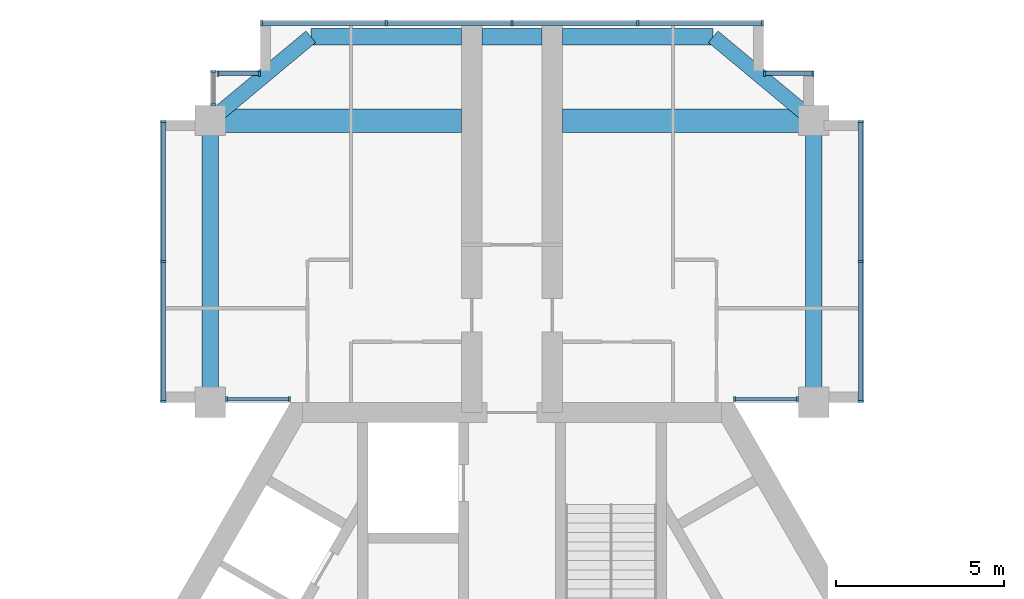
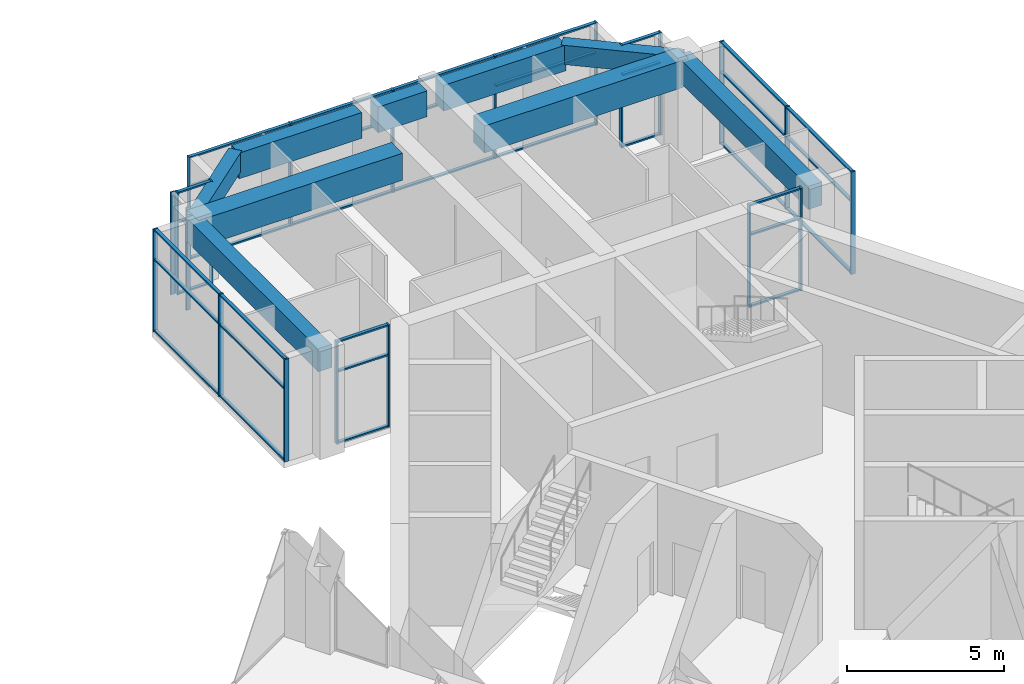
# One storey, part 6 of 13: 57 members, 9 beams, 8 elements without a shape of their own.
"""IFC4 building model written with IfcOpenShell, lengths in metres."""

from ifc_helpers import new_model, si_unit, direction, frame, origin, origin_2d, place, context, subcontext, project, spatial, rectangle, extrude, material, material_profile, profile_set, type_object, element, aggregate, save


model = new_model("IFC4")

# Units and contexts
model_context = context("Model", 3, precision=1e-05, world=origin(), true_north=direction((0.0, 1.0)))
body_context = subcontext(model_context, "Body", "Model", "MODEL_VIEW")
ifc_project = project(units=[si_unit("LENGTHUNIT", "METRE"), si_unit("AREAUNIT", "SQUARE_METRE"), si_unit("VOLUMEUNIT", "CUBIC_METRE"), si_unit("PLANEANGLEUNIT", "RADIAN"), si_unit("MASSUNIT", "GRAM", prefix="KILO")], contexts=[model_context])

# Site, building, storey
site_placement = place(None, origin())
site = spatial("IfcSite", under=ifc_project, at=site_placement, CompositionType="ELEMENT")
building_placement = place(site_placement, origin())
building = spatial("IfcBuilding", under=site, at=building_placement, Name="Impinga Residences", CompositionType="ELEMENT")
storey_placement = place(building_placement, frame((0.0, 0.0, 283.14990234375)))
storey = spatial("IfcBuildingStorey", under=building, at=storey_placement, Name="L71", CompositionType="ELEMENT", Elevation=283.14990234375)

# Beams
ifc_material_1 = material(Name="Concrete C60/75", Category="concrete")
ifc_material_profile_1 = material_profile(ifc_material_1, rectangle(XDim=0.449951171875, YDim=0.75, at=origin_2d()), Name="RC 450x750")
ifc_profile_set_1 = profile_set([ifc_material_profile_1], Name="Concrete C60/75")
beam_type_1 = type_object("IfcBeamType", Name="CB1 450x750 wing end cantilever beam", PredefinedType="BEAM", material=ifc_profile_set_1)
for number, where, z_axis, x_axis, name in (
    (1, (-9.0, 19.83154296875, 3.60498046875), (0.768221279597, 0.640184399664, 0.0), (-0.640184399664, 0.768221279597, 0.0), "Beam CB1 NB N2-NX level L72"),
    (2, (9.0, 19.83154296875, 3.60498046875), (-0.768221279597, 0.640184399664, 0.0), (-0.640184399664, -0.768221279597, 0.0), "Beam CB1 NE N2-NX level L72"),
):
    element("IfcBeam", number, at=place(storey_placement, frame(where, z_axis=z_axis, x_axis=x_axis)), inside=storey, type_object=beam_type_1, Name=name, PredefinedType="BEAM", context=body_context, shape_type="SweptSolid", body=[
        extrude(rectangle(XDim=0.449951171875, YDim=0.75, at=origin_2d()), origin(), (0.0, 0.0, 1.0), 3.905029296875),
    ])
ifc_material_profile_2 = material_profile(ifc_material_1, rectangle(XDim=0.699951171875, YDim=1.050048828125, at=origin_2d()), Name="RC 700x1050")
ifc_profile_set_2 = profile_set([ifc_material_profile_2], Name="Concrete C60/75")
beam_type_2 = type_object("IfcBeamType", Name="CG1 700x1050 cross girder on a wing bay line", PredefinedType="BEAM", material=ifc_profile_set_2)
for number, where, z_axis, x_axis, name in (
    (3, (-1.5, 19.83154296875, 3.455078125), (-1.0, 0.0, 0.0), (0.0, -1.0, 0.0), "Beam CG1 N2 NC/NA level L72"),
    (4, (1.5, 19.83154296875, 3.455078125), (1.0, 0.0, 0.0), (0.0, 1.0, 0.0), "Beam CG1 N2 NC/NF level L72"),
):
    element("IfcBeam", number, at=place(storey_placement, frame(where, z_axis=z_axis, x_axis=x_axis)), inside=storey, type_object=beam_type_2, Name=name, PredefinedType="BEAM", context=body_context, shape_type="SweptSolid", body=[
        extrude(rectangle(XDim=0.699951171875, YDim=1.050048828125, at=origin_2d()), origin(), (0.0, 0.0, 1.0), 7.5),
    ])

# Curtain wall, members
ifc_material_2 = material(Name="Aluminium stick curtain wall", Category="aluminium")
curtain_wall_type = type_object("IfcCurtainWallType", Name="CW3 penthouse curtain wall", PredefinedType="USERDEFINED", material=ifc_material_2)
curtain_wall_1_placement = place(storey_placement, origin())
curtain_wall_1 = element("IfcCurtainWall", 5, at=curtain_wall_1_placement, inside=storey, type_object=curtain_wall_type, Name="Curtain wall CW3 L71", ObjectType="STICK CURTAIN WALL", PredefinedType="USERDEFINED")
ifc_material_3 = material(Name="Aluminium mullion", Category="aluminium")
ifc_material_profile_3 = material_profile(ifc_material_3, rectangle(XDim=0.06005859375, YDim=0.159912109375, at=origin_2d()), Name="60x160 mullion")
ifc_profile_set_3 = profile_set([ifc_material_profile_3], Name="Aluminium mullion")
member_type_1 = type_object("IfcMemberType", Name="CW3-M mullion 60x160", PredefinedType="MULLION", material=ifc_profile_set_3)
member_1_placement = place(storey_placement, frame((-6.6298828125, 11.531494140625, 0.0), z_axis=(0.0, 0.0, 1.0), x_axis=(-1.0, 0.0, 0.0)))
member_1 = element("IfcMember", 6, at=member_1_placement, type_object=member_type_1, Name="CW3 mullion 1", PredefinedType="MULLION", context=body_context, shape_type="SweptSolid", body=[
    extrude(rectangle(XDim=0.06005859375, YDim=0.159912109375, at=origin_2d()), origin(), (0.0, 0.0, 1.0), 3.97998046875),
])
member_2_placement = place(storey_placement, frame((-8.51708984375, 11.531494140625, 0.0), z_axis=(0.0, 0.0, 1.0), x_axis=(-1.0, 0.0, 0.0)))
member_2 = element("IfcMember", 7, at=member_2_placement, type_object=member_type_1, Name="CW3 mullion 2", PredefinedType="MULLION", context=body_context, shape_type="SweptSolid", body=[
    extrude(rectangle(XDim=0.06005859375, YDim=0.159912109375, at=origin_2d()), origin(), (0.0, 0.0, 1.0), 3.97998046875),
])

curtain_wall_2_placement = place(storey_placement, origin())
curtain_wall_2 = element("IfcCurtainWall", 8, at=curtain_wall_2_placement, inside=storey, type_object=curtain_wall_type, Name="Curtain wall CW3 L71", ObjectType="STICK CURTAIN WALL", PredefinedType="USERDEFINED")
member_3_placement = place(storey_placement, frame((-10.39990234375, 11.46142578125, 0.0), z_axis=(0.0, 0.0, 1.0), x_axis=(0.0, 1.0, 0.0)))
member_3 = element("IfcMember", 9, at=member_3_placement, type_object=member_type_1, Name="CW3 mullion 1", PredefinedType="MULLION", context=body_context, shape_type="SweptSolid", body=[
    extrude(rectangle(XDim=0.06005859375, YDim=0.159912109375, at=origin_2d()), origin(), (0.0, 0.0, 1.0), 3.97998046875),
])
member_4_placement = place(storey_placement, frame((-10.39990234375, 15.631591796875, 0.0), z_axis=(0.0, 0.0, 1.0), x_axis=(0.0, 1.0, 0.0)))
member_4 = element("IfcMember", 10, at=member_4_placement, type_object=member_type_1, Name="CW3 mullion 2", PredefinedType="MULLION", context=body_context, shape_type="SweptSolid", body=[
    extrude(rectangle(XDim=0.06005859375, YDim=0.159912109375, at=origin_2d()), origin(), (0.0, 0.0, 1.0), 3.97998046875),
])
member_5_placement = place(storey_placement, frame((-10.39990234375, 19.801513671875, 0.0), z_axis=(0.0, 0.0, 1.0), x_axis=(0.0, 1.0, 0.0)))
member_5 = element("IfcMember", 11, at=member_5_placement, type_object=member_type_1, Name="CW3 mullion 3", PredefinedType="MULLION", context=body_context, shape_type="SweptSolid", body=[
    extrude(rectangle(XDim=0.06005859375, YDim=0.159912109375, at=origin_2d()), origin(), (0.0, 0.0, 1.0), 3.97998046875),
])

curtain_wall_3_placement = place(storey_placement, origin())
curtain_wall_3 = element("IfcCurtainWall", 12, at=curtain_wall_3_placement, inside=storey, type_object=curtain_wall_type, Name="Curtain wall CW3 L71", ObjectType="STICK CURTAIN WALL", PredefinedType="USERDEFINED")
member_6_placement = place(storey_placement, frame((-8.89990234375, 20.314453125, 0.0), z_axis=(0.0, 0.0, 1.0), x_axis=(0.0, 1.0, 0.0)))
member_6 = element("IfcMember", 13, at=member_6_placement, type_object=member_type_1, Name="CW3 mullion 1", PredefinedType="MULLION", context=body_context, shape_type="SweptSolid", body=[
    extrude(rectangle(XDim=0.06005859375, YDim=0.159912109375, at=origin_2d()), origin(), (0.0, 0.0, 1.0), 3.97998046875),
])
member_7_placement = place(storey_placement, frame((-8.89990234375, 21.301513671875, 0.0), z_axis=(0.0, 0.0, 1.0), x_axis=(0.0, 1.0, 0.0)))
member_7 = element("IfcMember", 14, at=member_7_placement, type_object=member_type_1, Name="CW3 mullion 2", PredefinedType="MULLION", context=body_context, shape_type="SweptSolid", body=[
    extrude(rectangle(XDim=0.06005859375, YDim=0.159912109375, at=origin_2d()), origin(), (0.0, 0.0, 1.0), 3.97998046875),
])
aggregate(curtain_wall_3, [member_6, member_7])

curtain_wall_4_placement = place(storey_placement, origin())
curtain_wall_4 = element("IfcCurtainWall", 15, at=curtain_wall_4_placement, inside=storey, type_object=curtain_wall_type, Name="Curtain wall CW3 L71", ObjectType="STICK CURTAIN WALL", PredefinedType="USERDEFINED")
member_8_placement = place(storey_placement, frame((-8.77001953125, 21.2314453125, 0.0), z_axis=(0.0, 0.0, 1.0), x_axis=(1.0, 0.0, 0.0)))
member_8 = element("IfcMember", 16, at=member_8_placement, type_object=member_type_1, Name="CW3 mullion 1", PredefinedType="MULLION", context=body_context, shape_type="SweptSolid", body=[
    extrude(rectangle(XDim=0.06005859375, YDim=0.159912109375, at=origin_2d()), origin(), (0.0, 0.0, 1.0), 3.97998046875),
])
member_9_placement = place(storey_placement, frame((-7.530029296875, 21.2314453125, 0.0), z_axis=(0.0, 0.0, 1.0), x_axis=(1.0, 0.0, 0.0)))
member_9 = element("IfcMember", 17, at=member_9_placement, type_object=member_type_1, Name="CW3 mullion 2", PredefinedType="MULLION", context=body_context, shape_type="SweptSolid", body=[
    extrude(rectangle(XDim=0.06005859375, YDim=0.159912109375, at=origin_2d()), origin(), (0.0, 0.0, 1.0), 3.97998046875),
])

curtain_wall_5_placement = place(storey_placement, origin())
curtain_wall_5 = element("IfcCurtainWall", 18, at=curtain_wall_5_placement, inside=storey, type_object=curtain_wall_type, Name="Curtain wall CW3 L71", ObjectType="STICK CURTAIN WALL", PredefinedType="USERDEFINED")
member_10_placement = place(storey_placement, frame((-7.469970703125, 22.7314453125, 0.0), z_axis=(0.0, 0.0, 1.0), x_axis=(1.0, 0.0, 0.0)))
member_10 = element("IfcMember", 19, at=member_10_placement, type_object=member_type_1, Name="CW3 mullion 1", PredefinedType="MULLION", context=body_context, shape_type="SweptSolid", body=[
    extrude(rectangle(XDim=0.06005859375, YDim=0.159912109375, at=origin_2d()), origin(), (0.0, 0.0, 1.0), 3.97998046875),
])
member_11_placement = place(storey_placement, frame((-3.75, 22.7314453125, 0.0), z_axis=(0.0, 0.0, 1.0), x_axis=(1.0, 0.0, 0.0)))
member_11 = element("IfcMember", 20, at=member_11_placement, type_object=member_type_1, Name="CW3 mullion 2", PredefinedType="MULLION", context=body_context, shape_type="SweptSolid", body=[
    extrude(rectangle(XDim=0.06005859375, YDim=0.159912109375, at=origin_2d()), origin(), (0.0, 0.0, 1.0), 3.97998046875),
])
member_12_placement = place(storey_placement, frame((0.0, 22.7314453125, 0.0), z_axis=(0.0, 0.0, 1.0), x_axis=(1.0, 0.0, 0.0)))
member_12 = element("IfcMember", 21, at=member_12_placement, type_object=member_type_1, Name="CW3 mullion 3", PredefinedType="MULLION", context=body_context, shape_type="SweptSolid", body=[
    extrude(rectangle(XDim=0.06005859375, YDim=0.159912109375, at=origin_2d()), origin(), (0.0, 0.0, 1.0), 3.97998046875),
])
member_13_placement = place(storey_placement, frame((3.75, 22.7314453125, 0.0), z_axis=(0.0, 0.0, 1.0), x_axis=(1.0, 0.0, 0.0)))
member_13 = element("IfcMember", 22, at=member_13_placement, type_object=member_type_1, Name="CW3 mullion 4", PredefinedType="MULLION", context=body_context, shape_type="SweptSolid", body=[
    extrude(rectangle(XDim=0.06005859375, YDim=0.159912109375, at=origin_2d()), origin(), (0.0, 0.0, 1.0), 3.97998046875),
])
member_14_placement = place(storey_placement, frame((7.469970703125, 22.7314453125, 0.0), z_axis=(0.0, 0.0, 1.0), x_axis=(1.0, 0.0, 0.0)))
member_14 = element("IfcMember", 23, at=member_14_placement, type_object=member_type_1, Name="CW3 mullion 5", PredefinedType="MULLION", context=body_context, shape_type="SweptSolid", body=[
    extrude(rectangle(XDim=0.06005859375, YDim=0.159912109375, at=origin_2d()), origin(), (0.0, 0.0, 1.0), 3.97998046875),
])

curtain_wall_6_placement = place(storey_placement, origin())
curtain_wall_6 = element("IfcCurtainWall", 24, at=curtain_wall_6_placement, inside=storey, type_object=curtain_wall_type, Name="Curtain wall CW3 L71", ObjectType="STICK CURTAIN WALL", PredefinedType="USERDEFINED")
member_15_placement = place(storey_placement, frame((7.530029296875, 21.2314453125, 0.0), z_axis=(0.0, 0.0, 1.0), x_axis=(1.0, 0.0, 0.0)))
member_15 = element("IfcMember", 25, at=member_15_placement, type_object=member_type_1, Name="CW3 mullion 1", PredefinedType="MULLION", context=body_context, shape_type="SweptSolid", body=[
    extrude(rectangle(XDim=0.06005859375, YDim=0.159912109375, at=origin_2d()), origin(), (0.0, 0.0, 1.0), 3.97998046875),
])
member_16_placement = place(storey_placement, frame((8.969970703125, 21.2314453125, 0.0), z_axis=(0.0, 0.0, 1.0), x_axis=(1.0, 0.0, 0.0)))
member_16 = element("IfcMember", 26, at=member_16_placement, type_object=member_type_1, Name="CW3 mullion 2", PredefinedType="MULLION", context=body_context, shape_type="SweptSolid", body=[
    extrude(rectangle(XDim=0.06005859375, YDim=0.159912109375, at=origin_2d()), origin(), (0.0, 0.0, 1.0), 3.97998046875),
])

curtain_wall_7_placement = place(storey_placement, origin())
curtain_wall_7 = element("IfcCurtainWall", 27, at=curtain_wall_7_placement, inside=storey, type_object=curtain_wall_type, Name="Curtain wall CW3 L71", ObjectType="STICK CURTAIN WALL", PredefinedType="USERDEFINED")
member_17_placement = place(storey_placement, frame((10.39990234375, 19.801513671875, 0.0), z_axis=(0.0, 0.0, 1.0), x_axis=(0.0, -1.0, 0.0)))
member_17 = element("IfcMember", 28, at=member_17_placement, type_object=member_type_1, Name="CW3 mullion 1", PredefinedType="MULLION", context=body_context, shape_type="SweptSolid", body=[
    extrude(rectangle(XDim=0.06005859375, YDim=0.159912109375, at=origin_2d()), origin(), (0.0, 0.0, 1.0), 3.97998046875),
])
member_18_placement = place(storey_placement, frame((10.39990234375, 15.631591796875, 0.0), z_axis=(0.0, 0.0, 1.0), x_axis=(0.0, -1.0, 0.0)))
member_18 = element("IfcMember", 29, at=member_18_placement, type_object=member_type_1, Name="CW3 mullion 2", PredefinedType="MULLION", context=body_context, shape_type="SweptSolid", body=[
    extrude(rectangle(XDim=0.06005859375, YDim=0.159912109375, at=origin_2d()), origin(), (0.0, 0.0, 1.0), 3.97998046875),
])
member_19_placement = place(storey_placement, frame((10.39990234375, 11.46142578125, 0.0), z_axis=(0.0, 0.0, 1.0), x_axis=(0.0, -1.0, 0.0)))
member_19 = element("IfcMember", 30, at=member_19_placement, type_object=member_type_1, Name="CW3 mullion 3", PredefinedType="MULLION", context=body_context, shape_type="SweptSolid", body=[
    extrude(rectangle(XDim=0.06005859375, YDim=0.159912109375, at=origin_2d()), origin(), (0.0, 0.0, 1.0), 3.97998046875),
])

curtain_wall_8_placement = place(storey_placement, origin())
curtain_wall_8 = element("IfcCurtainWall", 31, at=curtain_wall_8_placement, inside=storey, type_object=curtain_wall_type, Name="Curtain wall CW3 L71", ObjectType="STICK CURTAIN WALL", PredefinedType="USERDEFINED")
member_20_placement = place(storey_placement, frame((8.51708984375, 11.531494140625, 0.0), z_axis=(0.0, 0.0, 1.0), x_axis=(-1.0, 0.0, 0.0)))
member_20 = element("IfcMember", 32, at=member_20_placement, type_object=member_type_1, Name="CW3 mullion 1", PredefinedType="MULLION", context=body_context, shape_type="SweptSolid", body=[
    extrude(rectangle(XDim=0.06005859375, YDim=0.159912109375, at=origin_2d()), origin(), (0.0, 0.0, 1.0), 3.97998046875),
])
member_21_placement = place(storey_placement, frame((6.6298828125, 11.531494140625, 0.0), z_axis=(0.0, 0.0, 1.0), x_axis=(-1.0, 0.0, 0.0)))
member_21 = element("IfcMember", 33, at=member_21_placement, type_object=member_type_1, Name="CW3 mullion 2", PredefinedType="MULLION", context=body_context, shape_type="SweptSolid", body=[
    extrude(rectangle(XDim=0.06005859375, YDim=0.159912109375, at=origin_2d()), origin(), (0.0, 0.0, 1.0), 3.97998046875),
])

# Member
ifc_material_4 = material(Name="Aluminium transom", Category="aluminium")
ifc_material_profile_4 = material_profile(ifc_material_4, rectangle(XDim=0.06005859375, YDim=0.1201171875, at=origin_2d()), Name="60x120 transom")
ifc_profile_set_4 = profile_set([ifc_material_profile_4], Name="Aluminium transom")
member_type_2 = type_object("IfcMemberType", Name="CW3-T transom 60x120", PredefinedType="USERDEFINED", material=ifc_profile_set_4)
member_22_placement = place(storey_placement, frame((-6.659912109375, 11.531494140625, 0.030029296875), z_axis=(-1.0, 0.0, 0.0), x_axis=(0.0, 0.0, 1.0)))
member_22 = element("IfcMember", 34, at=member_22_placement, type_object=member_type_2, Name="CW3 transom 1.1", ObjectType="TRANSOM", PredefinedType="USERDEFINED", context=body_context, shape_type="SweptSolid", body=[
    extrude(rectangle(XDim=0.06005859375, YDim=0.1201171875, at=origin_2d()), origin(), (0.0, 0.0, 1.0), 1.8271484375),
])

member_23_placement = place(storey_placement, frame((-6.659912109375, 11.531494140625, 2.800048828125), z_axis=(-1.0, 0.0, 0.0), x_axis=(0.0, 0.0, 1.0)))
member_23 = element("IfcMember", 35, at=member_23_placement, type_object=member_type_2, Name="CW3 transom 1.2", ObjectType="TRANSOM", PredefinedType="USERDEFINED", context=body_context, shape_type="SweptSolid", body=[
    extrude(rectangle(XDim=0.06005859375, YDim=0.1201171875, at=origin_2d()), origin(), (0.0, 0.0, 1.0), 1.8271484375),
])

member_24_placement = place(storey_placement, frame((-6.659912109375, 11.531494140625, 3.9501953125), z_axis=(-1.0, 0.0, 0.0), x_axis=(0.0, 0.0, 1.0)))
member_24 = element("IfcMember", 36, at=member_24_placement, type_object=member_type_2, Name="CW3 transom 1.3", ObjectType="TRANSOM", PredefinedType="USERDEFINED", context=body_context, shape_type="SweptSolid", body=[
    extrude(rectangle(XDim=0.06005859375, YDim=0.1201171875, at=origin_2d()), origin(), (0.0, 0.0, 1.0), 1.8271484375),
])

aggregate(curtain_wall_1, [member_1, member_2, member_22, member_23, member_24])

member_25_placement = place(storey_placement, frame((-10.39990234375, 11.491455078125, 0.030029296875), z_axis=(0.0, 1.0, 0.0), x_axis=(0.0, 0.0, 1.0)))
member_25 = element("IfcMember", 37, at=member_25_placement, type_object=member_type_2, Name="CW3 transom 1.1", ObjectType="TRANSOM", PredefinedType="USERDEFINED", context=body_context, shape_type="SweptSolid", body=[
    extrude(rectangle(XDim=0.06005859375, YDim=0.1201171875, at=origin_2d()), origin(), (0.0, 0.0, 1.0), 4.110107421875),
])

member_26_placement = place(storey_placement, frame((-10.39990234375, 11.491455078125, 2.800048828125), z_axis=(0.0, 1.0, 0.0), x_axis=(0.0, 0.0, 1.0)))
member_26 = element("IfcMember", 38, at=member_26_placement, type_object=member_type_2, Name="CW3 transom 1.2", ObjectType="TRANSOM", PredefinedType="USERDEFINED", context=body_context, shape_type="SweptSolid", body=[
    extrude(rectangle(XDim=0.06005859375, YDim=0.1201171875, at=origin_2d()), origin(), (0.0, 0.0, 1.0), 4.110107421875),
])

member_27_placement = place(storey_placement, frame((-10.39990234375, 11.491455078125, 3.9501953125), z_axis=(0.0, 1.0, 0.0), x_axis=(0.0, 0.0, 1.0)))
member_27 = element("IfcMember", 39, at=member_27_placement, type_object=member_type_2, Name="CW3 transom 1.3", ObjectType="TRANSOM", PredefinedType="USERDEFINED", context=body_context, shape_type="SweptSolid", body=[
    extrude(rectangle(XDim=0.06005859375, YDim=0.1201171875, at=origin_2d()), origin(), (0.0, 0.0, 1.0), 4.110107421875),
])

member_28_placement = place(storey_placement, frame((-10.39990234375, 15.66162109375, 0.030029296875), z_axis=(0.0, 1.0, 0.0), x_axis=(0.0, 0.0, 1.0)))
member_28 = element("IfcMember", 40, at=member_28_placement, type_object=member_type_2, Name="CW3 transom 2.1", ObjectType="TRANSOM", PredefinedType="USERDEFINED", context=body_context, shape_type="SweptSolid", body=[
    extrude(rectangle(XDim=0.06005859375, YDim=0.1201171875, at=origin_2d()), origin(), (0.0, 0.0, 1.0), 4.10986328125),
])

member_29_placement = place(storey_placement, frame((-10.39990234375, 15.66162109375, 2.800048828125), z_axis=(0.0, 1.0, 0.0), x_axis=(0.0, 0.0, 1.0)))
member_29 = element("IfcMember", 41, at=member_29_placement, type_object=member_type_2, Name="CW3 transom 2.2", ObjectType="TRANSOM", PredefinedType="USERDEFINED", context=body_context, shape_type="SweptSolid", body=[
    extrude(rectangle(XDim=0.06005859375, YDim=0.1201171875, at=origin_2d()), origin(), (0.0, 0.0, 1.0), 4.10986328125),
])

member_30_placement = place(storey_placement, frame((-10.39990234375, 15.66162109375, 3.9501953125), z_axis=(0.0, 1.0, 0.0), x_axis=(0.0, 0.0, 1.0)))
member_30 = element("IfcMember", 42, at=member_30_placement, type_object=member_type_2, Name="CW3 transom 2.3", ObjectType="TRANSOM", PredefinedType="USERDEFINED", context=body_context, shape_type="SweptSolid", body=[
    extrude(rectangle(XDim=0.06005859375, YDim=0.1201171875, at=origin_2d()), origin(), (0.0, 0.0, 1.0), 4.10986328125),
])

aggregate(curtain_wall_2, [member_3, member_4, member_5, member_25, member_26, member_27, member_28, member_29, member_30])

member_31_placement = place(storey_placement, frame((-8.739990234375, 21.2314453125, 0.030029296875), z_axis=(1.0, 0.0, 0.0), x_axis=(0.0, 0.0, 1.0)))
member_31 = element("IfcMember", 43, at=member_31_placement, type_object=member_type_2, Name="CW3 transom 1.1", ObjectType="TRANSOM", PredefinedType="USERDEFINED", context=body_context, shape_type="SweptSolid", body=[
    extrude(rectangle(XDim=0.06005859375, YDim=0.1201171875, at=origin_2d()), origin(), (0.0, 0.0, 1.0), 1.179931640625),
])

member_32_placement = place(storey_placement, frame((-8.739990234375, 21.2314453125, 2.800048828125), z_axis=(1.0, 0.0, 0.0), x_axis=(0.0, 0.0, 1.0)))
member_32 = element("IfcMember", 44, at=member_32_placement, type_object=member_type_2, Name="CW3 transom 1.2", ObjectType="TRANSOM", PredefinedType="USERDEFINED", context=body_context, shape_type="SweptSolid", body=[
    extrude(rectangle(XDim=0.06005859375, YDim=0.1201171875, at=origin_2d()), origin(), (0.0, 0.0, 1.0), 1.179931640625),
])

member_33_placement = place(storey_placement, frame((-8.739990234375, 21.2314453125, 3.9501953125), z_axis=(1.0, 0.0, 0.0), x_axis=(0.0, 0.0, 1.0)))
member_33 = element("IfcMember", 45, at=member_33_placement, type_object=member_type_2, Name="CW3 transom 1.3", ObjectType="TRANSOM", PredefinedType="USERDEFINED", context=body_context, shape_type="SweptSolid", body=[
    extrude(rectangle(XDim=0.06005859375, YDim=0.1201171875, at=origin_2d()), origin(), (0.0, 0.0, 1.0), 1.179931640625),
])

aggregate(curtain_wall_4, [member_8, member_9, member_31, member_32, member_33])

member_34_placement = place(storey_placement, frame((-7.43994140625, 22.7314453125, 0.030029296875), z_axis=(1.0, 0.0, 0.0), x_axis=(0.0, 0.0, 1.0)))
member_34 = element("IfcMember", 46, at=member_34_placement, type_object=member_type_2, Name="CW3 transom 1.1", ObjectType="TRANSOM", PredefinedType="USERDEFINED", context=body_context, shape_type="SweptSolid", body=[
    extrude(rectangle(XDim=0.06005859375, YDim=0.1201171875, at=origin_2d()), origin(), (0.0, 0.0, 1.0), 3.659912109375),
])

member_35_placement = place(storey_placement, frame((-7.43994140625, 22.7314453125, 2.800048828125), z_axis=(1.0, 0.0, 0.0), x_axis=(0.0, 0.0, 1.0)))
member_35 = element("IfcMember", 47, at=member_35_placement, type_object=member_type_2, Name="CW3 transom 1.2", ObjectType="TRANSOM", PredefinedType="USERDEFINED", context=body_context, shape_type="SweptSolid", body=[
    extrude(rectangle(XDim=0.06005859375, YDim=0.1201171875, at=origin_2d()), origin(), (0.0, 0.0, 1.0), 3.659912109375),
])

member_36_placement = place(storey_placement, frame((-7.43994140625, 22.7314453125, 3.9501953125), z_axis=(1.0, 0.0, 0.0), x_axis=(0.0, 0.0, 1.0)))
member_36 = element("IfcMember", 48, at=member_36_placement, type_object=member_type_2, Name="CW3 transom 1.3", ObjectType="TRANSOM", PredefinedType="USERDEFINED", context=body_context, shape_type="SweptSolid", body=[
    extrude(rectangle(XDim=0.06005859375, YDim=0.1201171875, at=origin_2d()), origin(), (0.0, 0.0, 1.0), 3.659912109375),
])

member_37_placement = place(storey_placement, frame((-3.719970703125, 22.7314453125, 0.030029296875), z_axis=(1.0, 0.0, 0.0), x_axis=(0.0, 0.0, 1.0)))
member_37 = element("IfcMember", 49, at=member_37_placement, type_object=member_type_2, Name="CW3 transom 2.1", ObjectType="TRANSOM", PredefinedType="USERDEFINED", context=body_context, shape_type="SweptSolid", body=[
    extrude(rectangle(XDim=0.06005859375, YDim=0.1201171875, at=origin_2d()), origin(), (0.0, 0.0, 1.0), 3.68994140625),
])

member_38_placement = place(storey_placement, frame((-3.719970703125, 22.7314453125, 2.800048828125), z_axis=(1.0, 0.0, 0.0), x_axis=(0.0, 0.0, 1.0)))
member_38 = element("IfcMember", 50, at=member_38_placement, type_object=member_type_2, Name="CW3 transom 2.2", ObjectType="TRANSOM", PredefinedType="USERDEFINED", context=body_context, shape_type="SweptSolid", body=[
    extrude(rectangle(XDim=0.06005859375, YDim=0.1201171875, at=origin_2d()), origin(), (0.0, 0.0, 1.0), 3.68994140625),
])

member_39_placement = place(storey_placement, frame((-3.719970703125, 22.7314453125, 3.9501953125), z_axis=(1.0, 0.0, 0.0), x_axis=(0.0, 0.0, 1.0)))
member_39 = element("IfcMember", 51, at=member_39_placement, type_object=member_type_2, Name="CW3 transom 2.3", ObjectType="TRANSOM", PredefinedType="USERDEFINED", context=body_context, shape_type="SweptSolid", body=[
    extrude(rectangle(XDim=0.06005859375, YDim=0.1201171875, at=origin_2d()), origin(), (0.0, 0.0, 1.0), 3.68994140625),
])

member_40_placement = place(storey_placement, frame((0.030029296875, 22.7314453125, 0.030029296875), z_axis=(1.0, 0.0, 0.0), x_axis=(0.0, 0.0, 1.0)))
member_40 = element("IfcMember", 52, at=member_40_placement, type_object=member_type_2, Name="CW3 transom 3.1", ObjectType="TRANSOM", PredefinedType="USERDEFINED", context=body_context, shape_type="SweptSolid", body=[
    extrude(rectangle(XDim=0.06005859375, YDim=0.1201171875, at=origin_2d()), origin(), (0.0, 0.0, 1.0), 3.68994140625),
])

member_41_placement = place(storey_placement, frame((0.030029296875, 22.7314453125, 2.800048828125), z_axis=(1.0, 0.0, 0.0), x_axis=(0.0, 0.0, 1.0)))
member_41 = element("IfcMember", 53, at=member_41_placement, type_object=member_type_2, Name="CW3 transom 3.2", ObjectType="TRANSOM", PredefinedType="USERDEFINED", context=body_context, shape_type="SweptSolid", body=[
    extrude(rectangle(XDim=0.06005859375, YDim=0.1201171875, at=origin_2d()), origin(), (0.0, 0.0, 1.0), 3.68994140625),
])

member_42_placement = place(storey_placement, frame((0.030029296875, 22.7314453125, 3.9501953125), z_axis=(1.0, 0.0, 0.0), x_axis=(0.0, 0.0, 1.0)))
member_42 = element("IfcMember", 54, at=member_42_placement, type_object=member_type_2, Name="CW3 transom 3.3", ObjectType="TRANSOM", PredefinedType="USERDEFINED", context=body_context, shape_type="SweptSolid", body=[
    extrude(rectangle(XDim=0.06005859375, YDim=0.1201171875, at=origin_2d()), origin(), (0.0, 0.0, 1.0), 3.68994140625),
])

member_43_placement = place(storey_placement, frame((3.780029296875, 22.7314453125, 0.030029296875), z_axis=(1.0, 0.0, 0.0), x_axis=(0.0, 0.0, 1.0)))
member_43 = element("IfcMember", 55, at=member_43_placement, type_object=member_type_2, Name="CW3 transom 4.1", ObjectType="TRANSOM", PredefinedType="USERDEFINED", context=body_context, shape_type="SweptSolid", body=[
    extrude(rectangle(XDim=0.06005859375, YDim=0.1201171875, at=origin_2d()), origin(), (0.0, 0.0, 1.0), 3.659912109375),
])

member_44_placement = place(storey_placement, frame((3.780029296875, 22.7314453125, 2.800048828125), z_axis=(1.0, 0.0, 0.0), x_axis=(0.0, 0.0, 1.0)))
member_44 = element("IfcMember", 56, at=member_44_placement, type_object=member_type_2, Name="CW3 transom 4.2", ObjectType="TRANSOM", PredefinedType="USERDEFINED", context=body_context, shape_type="SweptSolid", body=[
    extrude(rectangle(XDim=0.06005859375, YDim=0.1201171875, at=origin_2d()), origin(), (0.0, 0.0, 1.0), 3.659912109375),
])

member_45_placement = place(storey_placement, frame((3.780029296875, 22.7314453125, 3.9501953125), z_axis=(1.0, 0.0, 0.0), x_axis=(0.0, 0.0, 1.0)))
member_45 = element("IfcMember", 57, at=member_45_placement, type_object=member_type_2, Name="CW3 transom 4.3", ObjectType="TRANSOM", PredefinedType="USERDEFINED", context=body_context, shape_type="SweptSolid", body=[
    extrude(rectangle(XDim=0.06005859375, YDim=0.1201171875, at=origin_2d()), origin(), (0.0, 0.0, 1.0), 3.659912109375),
])

aggregate(curtain_wall_5, [member_10, member_11, member_12, member_13, member_14, member_34, member_35, member_36, member_37, member_38, member_39, member_40, member_41, member_42, member_43, member_44, member_45])

member_46_placement = place(storey_placement, frame((7.56005859375, 21.2314453125, 0.030029296875), z_axis=(1.0, 0.0, 0.0), x_axis=(0.0, 0.0, 1.0)))
member_46 = element("IfcMember", 58, at=member_46_placement, type_object=member_type_2, Name="CW3 transom 1.1", ObjectType="TRANSOM", PredefinedType="USERDEFINED", context=body_context, shape_type="SweptSolid", body=[
    extrude(rectangle(XDim=0.06005859375, YDim=0.1201171875, at=origin_2d()), origin(), (0.0, 0.0, 1.0), 1.3798828125),
])

member_47_placement = place(storey_placement, frame((7.56005859375, 21.2314453125, 2.800048828125), z_axis=(1.0, 0.0, 0.0), x_axis=(0.0, 0.0, 1.0)))
member_47 = element("IfcMember", 59, at=member_47_placement, type_object=member_type_2, Name="CW3 transom 1.2", ObjectType="TRANSOM", PredefinedType="USERDEFINED", context=body_context, shape_type="SweptSolid", body=[
    extrude(rectangle(XDim=0.06005859375, YDim=0.1201171875, at=origin_2d()), origin(), (0.0, 0.0, 1.0), 1.3798828125),
])

member_48_placement = place(storey_placement, frame((7.56005859375, 21.2314453125, 3.9501953125), z_axis=(1.0, 0.0, 0.0), x_axis=(0.0, 0.0, 1.0)))
member_48 = element("IfcMember", 60, at=member_48_placement, type_object=member_type_2, Name="CW3 transom 1.3", ObjectType="TRANSOM", PredefinedType="USERDEFINED", context=body_context, shape_type="SweptSolid", body=[
    extrude(rectangle(XDim=0.06005859375, YDim=0.1201171875, at=origin_2d()), origin(), (0.0, 0.0, 1.0), 1.3798828125),
])

aggregate(curtain_wall_6, [member_15, member_16, member_46, member_47, member_48])

member_49_placement = place(storey_placement, frame((10.39990234375, 19.771484375, 0.030029296875), z_axis=(0.0, -1.0, 0.0), x_axis=(0.0, 0.0, 1.0)))
member_49 = element("IfcMember", 61, at=member_49_placement, type_object=member_type_2, Name="CW3 transom 1.1", ObjectType="TRANSOM", PredefinedType="USERDEFINED", context=body_context, shape_type="SweptSolid", body=[
    extrude(rectangle(XDim=0.06005859375, YDim=0.1201171875, at=origin_2d()), origin(), (0.0, 0.0, 1.0), 4.10986328125),
])

member_50_placement = place(storey_placement, frame((10.39990234375, 19.771484375, 2.800048828125), z_axis=(0.0, -1.0, 0.0), x_axis=(0.0, 0.0, 1.0)))
member_50 = element("IfcMember", 62, at=member_50_placement, type_object=member_type_2, Name="CW3 transom 1.2", ObjectType="TRANSOM", PredefinedType="USERDEFINED", context=body_context, shape_type="SweptSolid", body=[
    extrude(rectangle(XDim=0.06005859375, YDim=0.1201171875, at=origin_2d()), origin(), (0.0, 0.0, 1.0), 4.10986328125),
])

member_51_placement = place(storey_placement, frame((10.39990234375, 19.771484375, 3.9501953125), z_axis=(0.0, -1.0, 0.0), x_axis=(0.0, 0.0, 1.0)))
member_51 = element("IfcMember", 63, at=member_51_placement, type_object=member_type_2, Name="CW3 transom 1.3", ObjectType="TRANSOM", PredefinedType="USERDEFINED", context=body_context, shape_type="SweptSolid", body=[
    extrude(rectangle(XDim=0.06005859375, YDim=0.1201171875, at=origin_2d()), origin(), (0.0, 0.0, 1.0), 4.10986328125),
])

member_52_placement = place(storey_placement, frame((10.39990234375, 15.6015625, 0.030029296875), z_axis=(0.0, -1.0, 0.0), x_axis=(0.0, 0.0, 1.0)))
member_52 = element("IfcMember", 64, at=member_52_placement, type_object=member_type_2, Name="CW3 transom 2.1", ObjectType="TRANSOM", PredefinedType="USERDEFINED", context=body_context, shape_type="SweptSolid", body=[
    extrude(rectangle(XDim=0.06005859375, YDim=0.1201171875, at=origin_2d()), origin(), (0.0, 0.0, 1.0), 4.110107421875),
])

member_53_placement = place(storey_placement, frame((10.39990234375, 15.6015625, 2.800048828125), z_axis=(0.0, -1.0, 0.0), x_axis=(0.0, 0.0, 1.0)))
member_53 = element("IfcMember", 65, at=member_53_placement, type_object=member_type_2, Name="CW3 transom 2.2", ObjectType="TRANSOM", PredefinedType="USERDEFINED", context=body_context, shape_type="SweptSolid", body=[
    extrude(rectangle(XDim=0.06005859375, YDim=0.1201171875, at=origin_2d()), origin(), (0.0, 0.0, 1.0), 4.110107421875),
])

member_54_placement = place(storey_placement, frame((10.39990234375, 15.6015625, 3.9501953125), z_axis=(0.0, -1.0, 0.0), x_axis=(0.0, 0.0, 1.0)))
member_54 = element("IfcMember", 66, at=member_54_placement, type_object=member_type_2, Name="CW3 transom 2.3", ObjectType="TRANSOM", PredefinedType="USERDEFINED", context=body_context, shape_type="SweptSolid", body=[
    extrude(rectangle(XDim=0.06005859375, YDim=0.1201171875, at=origin_2d()), origin(), (0.0, 0.0, 1.0), 4.110107421875),
])

aggregate(curtain_wall_7, [member_17, member_18, member_19, member_49, member_50, member_51, member_52, member_53, member_54])

member_55_placement = place(storey_placement, frame((8.487060546875, 11.531494140625, 0.030029296875), z_axis=(-1.0, 0.0, 0.0), x_axis=(0.0, 0.0, 1.0)))
member_55 = element("IfcMember", 67, at=member_55_placement, type_object=member_type_2, Name="CW3 transom 1.1", ObjectType="TRANSOM", PredefinedType="USERDEFINED", context=body_context, shape_type="SweptSolid", body=[
    extrude(rectangle(XDim=0.06005859375, YDim=0.1201171875, at=origin_2d()), origin(), (0.0, 0.0, 1.0), 1.8271484375),
])

member_56_placement = place(storey_placement, frame((8.487060546875, 11.531494140625, 2.800048828125), z_axis=(-1.0, 0.0, 0.0), x_axis=(0.0, 0.0, 1.0)))
member_56 = element("IfcMember", 68, at=member_56_placement, type_object=member_type_2, Name="CW3 transom 1.2", ObjectType="TRANSOM", PredefinedType="USERDEFINED", context=body_context, shape_type="SweptSolid", body=[
    extrude(rectangle(XDim=0.06005859375, YDim=0.1201171875, at=origin_2d()), origin(), (0.0, 0.0, 1.0), 1.8271484375),
])

member_57_placement = place(storey_placement, frame((8.487060546875, 11.531494140625, 3.9501953125), z_axis=(-1.0, 0.0, 0.0), x_axis=(0.0, 0.0, 1.0)))
member_57 = element("IfcMember", 69, at=member_57_placement, type_object=member_type_2, Name="CW3 transom 1.3", ObjectType="TRANSOM", PredefinedType="USERDEFINED", context=body_context, shape_type="SweptSolid", body=[
    extrude(rectangle(XDim=0.06005859375, YDim=0.1201171875, at=origin_2d()), origin(), (0.0, 0.0, 1.0), 1.8271484375),
])

aggregate(curtain_wall_8, [member_20, member_21, member_55, member_56, member_57])

# Beams
ifc_material_profile_5 = material_profile(ifc_material_1, rectangle(XDim=0.5, YDim=1.0, at=origin_2d()), Name="RC 500x1000")
ifc_profile_set_5 = profile_set([ifc_material_profile_5], Name="Concrete C60/75")
beam_type_3 = type_object("IfcBeamType", Name="EB1 500x1000 wing end beam", PredefinedType="BEAM", material=ifc_profile_set_5)
beam_1_placement = place(storey_placement, frame((-6.0, 22.33154296875, 3.47998046875), z_axis=(1.0, 0.0, 0.0), x_axis=(0.0, 1.0, 0.0)))
element("IfcBeam", 70, at=beam_1_placement, inside=storey, type_object=beam_type_3, Name="Beam EB1 NX1 level L72", PredefinedType="BEAM", context=body_context, shape_type="SweptSolid", body=[
    extrude(rectangle(XDim=0.5, YDim=1.0, at=origin_2d()), origin(), (0.0, 0.0, 1.0), 4.5),
])
beam_2_placement = place(storey_placement, frame((-0.89990234375, 22.33154296875, 3.47998046875), z_axis=(1.0, 0.0, 0.0), x_axis=(0.0, 1.0, 0.0)))
element("IfcBeam", 71, at=beam_2_placement, inside=storey, type_object=beam_type_3, Name="Beam EB1 NX1 level L72", PredefinedType="BEAM", context=body_context, shape_type="SweptSolid", body=[
    extrude(rectangle(XDim=0.5, YDim=1.0, at=origin_2d()), origin(), (0.0, 0.0, 1.0), 1.7998046875),
])
beam_3_placement = place(storey_placement, frame((1.5, 22.33154296875, 3.47998046875), z_axis=(1.0, 0.0, 0.0), x_axis=(0.0, 1.0, 0.0)))
element("IfcBeam", 72, at=beam_3_placement, inside=storey, type_object=beam_type_3, Name="Beam EB1 NX1 level L72", PredefinedType="BEAM", context=body_context, shape_type="SweptSolid", body=[
    extrude(rectangle(XDim=0.5, YDim=1.0, at=origin_2d()), origin(), (0.0, 0.0, 1.0), 4.5),
])
ifc_material_profile_6 = material_profile(ifc_material_1, rectangle(XDim=0.5, YDim=0.89990234375, at=origin_2d()), Name="RC 500x900")
ifc_profile_set_6 = profile_set([ifc_material_profile_6], Name="Concrete C60/75")
beam_type_4 = type_object("IfcBeamType", Name="SB1 500x900 perimeter spandrel beam", PredefinedType="SPANDREL", material=ifc_profile_set_6)
for number, where, z_axis, x_axis, name in (
    (73, (-9.0, 11.431640625, 3.530029296875), (0.0, 1.0, 0.0), (-1.0, 0.0, 0.0), "Beam SB1 NA N1-N2 level L72"),
    (74, (9.0, 11.431640625, 3.530029296875), (0.0, 1.0, 0.0), (-1.0, 0.0, 0.0), "Beam SB1 NF N1-N2 level L72"),
):
    element("IfcBeam", number, at=place(storey_placement, frame(where, z_axis=z_axis, x_axis=x_axis)), inside=storey, type_object=beam_type_4, Name=name, PredefinedType="SPANDREL", context=body_context, shape_type="SweptSolid", body=[
        extrude(rectangle(XDim=0.5, YDim=0.89990234375, at=origin_2d()), origin(), (0.0, 0.0, 1.0), 8.39990234375),
    ])

save(model, "model.ifc")
